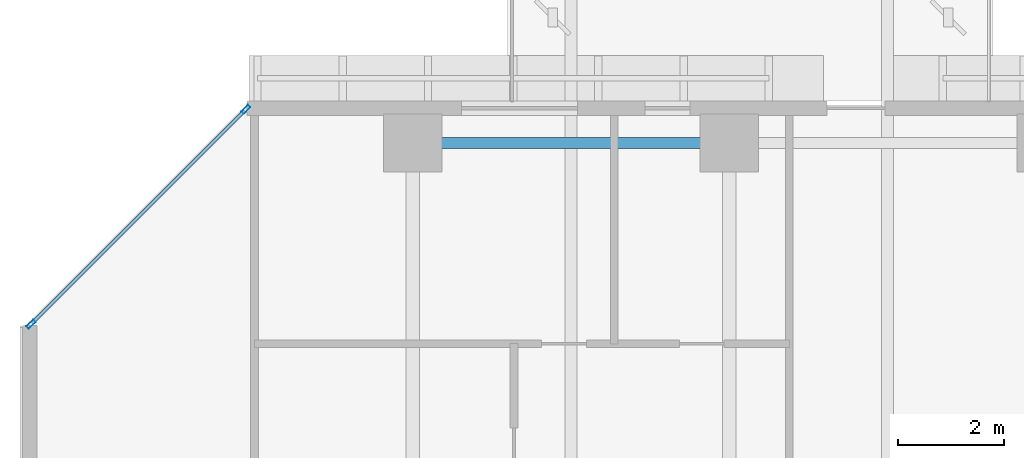
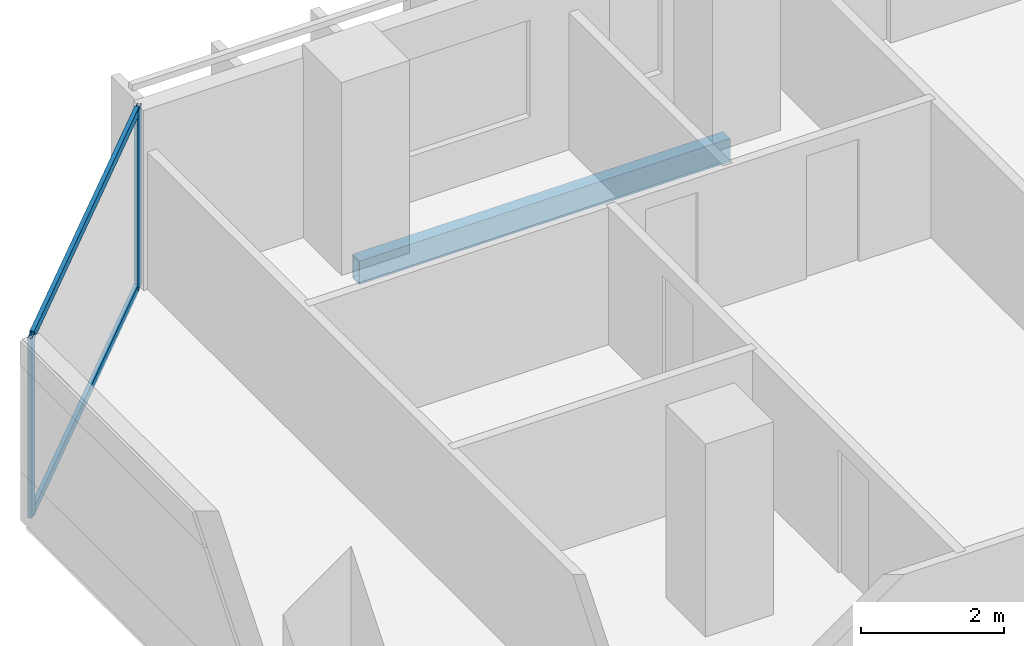
# One storey, part 8 of 34: 4 members, 1 beam, 1 element without a shape of its own.
"""IFC4 building model written with IfcOpenShell, lengths in metres."""

from ifc_helpers import new_model, si_unit, direction, frame, origin, origin_2d, place, context, subcontext, project, spatial, hollow_rectangle, extrude, material, layer, layer_set, material_profile, profile_set, type_object, element, aggregate, save


model = new_model("IFC4")

# Units and contexts
model_context = context("Model", 3, precision=1e-05, world=origin(), true_north=direction((0.0, 1.0)))
body_context = subcontext(model_context, "Body", "Model", "MODEL_VIEW")
ifc_project = project(units=[si_unit("LENGTHUNIT", "METRE"), si_unit("AREAUNIT", "SQUARE_METRE"), si_unit("VOLUMEUNIT", "CUBIC_METRE"), si_unit("PLANEANGLEUNIT", "RADIAN"), si_unit("MASSUNIT", "GRAM", prefix="KILO")], contexts=[model_context])

# Site, building, storey
site_placement = place(None, origin())
site = spatial("IfcSite", under=ifc_project, at=site_placement, CompositionType="ELEMENT")
building_placement = place(site_placement, origin())
building = spatial("IfcBuilding", under=site, at=building_placement, Name="Tanjung Sevakor Pilgrim Tower", CompositionType="ELEMENT")
storey_placement = place(building_placement, frame((0.0, 0.0, 55.43994140625)))
storey = spatial("IfcBuildingStorey", under=building, at=storey_placement, Name="L15", CompositionType="ELEMENT", Elevation=55.43994140625)

# Beam
ifc_material_1 = material(Name="Steel S355J2", Category="steel")
ifc_material_profile_1 = material_profile(ifc_material_1, hollow_rectangle(XDim=0.199951171875, YDim=0.39990234375, WallThickness=0.01611328125, at=origin_2d()))
ifc_profile_set_1 = profile_set([ifc_material_profile_1], Name="Steel S355J2")
beam_type = type_object("IfcBeamType", Name="BM-B-SP2-RHS_400x200x16", PredefinedType="SPANDREL", material=ifc_profile_set_1)
beam_placement = place(storey_placement, frame((24.0, 58.800048828125, -0.419921875), z_axis=(1.0, 0.0, 0.0), x_axis=(0.0, 1.0, 0.0)))
element("IfcBeam", 1, at=beam_placement, inside=storey, type_object=beam_type, Name="L15 Spandrel MAIN N-02", PredefinedType="SPANDREL", context=body_context, shape_type="SweptSolid", body=[
    extrude(hollow_rectangle(XDim=0.199951171875, YDim=0.39990234375, WallThickness=0.01611328125, at=origin_2d()), origin(), (0.0, 0.0, 1.0), 6.0),
])

# Curtain wall, members
ifc_material_2 = material(Name="Aluminium 6063-T6 and Low-E Glass", Category="aluminium")
ifc_layer = layer(ifc_material_2, 0.179931640625)
ifc_layer_set = layer_set([ifc_layer], Name="CW-SYS-CHAM")
curtain_wall_type = type_object("IfcCurtainWallType", Name="CW-SYS-CHAM", PredefinedType="NOTDEFINED", material=ifc_layer_set)
curtain_wall_placement = place(storey_placement, origin())
curtain_wall = element("IfcCurtainWall", 2, at=curtain_wall_placement, inside=storey, type_object=curtain_wall_type, Name="L15 Curtain Wall CW-CHM-L15-MAIN-13", PredefinedType="NOTDEFINED")
ifc_material_3 = material(Name="Aluminium 6063-T6", Category="aluminium")
ifc_material_profile_2 = material_profile(ifc_material_3, hollow_rectangle(XDim=0.06494140625, YDim=0.179931640625, WallThickness=0.00390625, at=origin_2d()))
ifc_profile_set_2 = profile_set([ifc_material_profile_2], Name="Aluminium 6063-T6")
member_type_1 = type_object("IfcMemberType", Name="TYPE-CWM-1", PredefinedType="MULLION", material=ifc_profile_set_2)
member_1_placement = place(storey_placement, frame((20.8349609375, 59.43701171875, 0.0), z_axis=(0.0, 0.0, 1.0), x_axis=(0.707106781187, -0.707106781187, 0.0)))
member_1 = element("IfcMember", 3, at=member_1_placement, type_object=member_type_1, Name="CW-CHM mullion 1", PredefinedType="MULLION", context=body_context, shape_type="SweptSolid", body=[
    extrude(hollow_rectangle(XDim=0.06494140625, YDim=0.179931640625, WallThickness=0.00390625, at=origin_2d()), origin(), (0.0, 0.0, 1.0), 3.080078125),
])
member_2_placement = place(storey_placement, frame((16.762939453125, 55.364990234375, 0.0), z_axis=(0.0, 0.0, 1.0), x_axis=(0.707106781187, -0.707106781187, 0.0)))
member_2 = element("IfcMember", 4, at=member_2_placement, type_object=member_type_1, Name="CW-CHM mullion 2", PredefinedType="MULLION", context=body_context, shape_type="SweptSolid", body=[
    extrude(hollow_rectangle(XDim=0.06494140625, YDim=0.179931640625, WallThickness=0.00390625, at=origin_2d()), origin(), (0.0, 0.0, 1.0), 3.080078125),
])
ifc_material_4 = material(Name="Aluminium 6063-T6", Category="aluminium")
ifc_material_profile_3 = material_profile(ifc_material_4, hollow_rectangle(XDim=0.06494140625, YDim=0.139892578125, WallThickness=0.00390625, at=origin_2d()))
ifc_profile_set_3 = profile_set([ifc_material_profile_3], Name="Aluminium 6063-T6")
member_type_2 = type_object("IfcMemberType", Name="TYPE-CWT-1", PredefinedType="USERDEFINED", material=ifc_profile_set_3)
member_3_placement = place(storey_placement, frame((20.81201171875, 59.4140625, 0.032470703125), z_axis=(-0.707106781187, -0.707106781187, 0.0), x_axis=(0.707106781187, -0.707106781187, 0.0)))
member_3 = element("IfcMember", 5, at=member_3_placement, type_object=member_type_2, Name="CW-CHM transom 1.1", ObjectType="TRANSOM", PredefinedType="USERDEFINED", context=body_context, shape_type="SweptSolid", body=[
    extrude(hollow_rectangle(XDim=0.06494140625, YDim=0.139892578125, WallThickness=0.00390625, at=origin_2d()), origin(), (0.0, 0.0, 1.0), 5.69384765625),
])
member_4_placement = place(storey_placement, frame((20.81201171875, 59.4140625, 3.047607421875), z_axis=(-0.707106781187, -0.707106781187, 0.0), x_axis=(0.707106781187, -0.707106781187, 0.0)))
member_4 = element("IfcMember", 6, at=member_4_placement, type_object=member_type_2, Name="CW-CHM transom 1.2", ObjectType="TRANSOM", PredefinedType="USERDEFINED", context=body_context, shape_type="SweptSolid", body=[
    extrude(hollow_rectangle(XDim=0.06494140625, YDim=0.139892578125, WallThickness=0.00390625, at=origin_2d()), origin(), (0.0, 0.0, 1.0), 5.69384765625),
])
aggregate(curtain_wall, [member_1, member_2, member_3, member_4])

save(model, "model.ifc")
